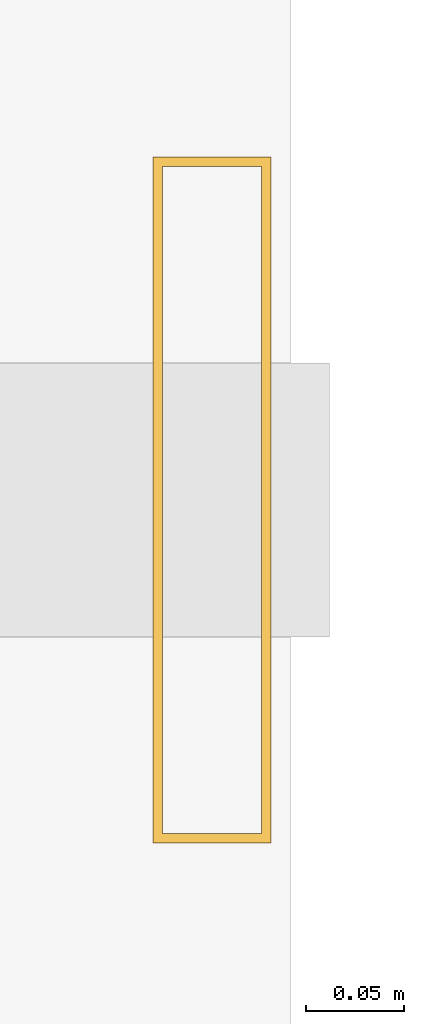
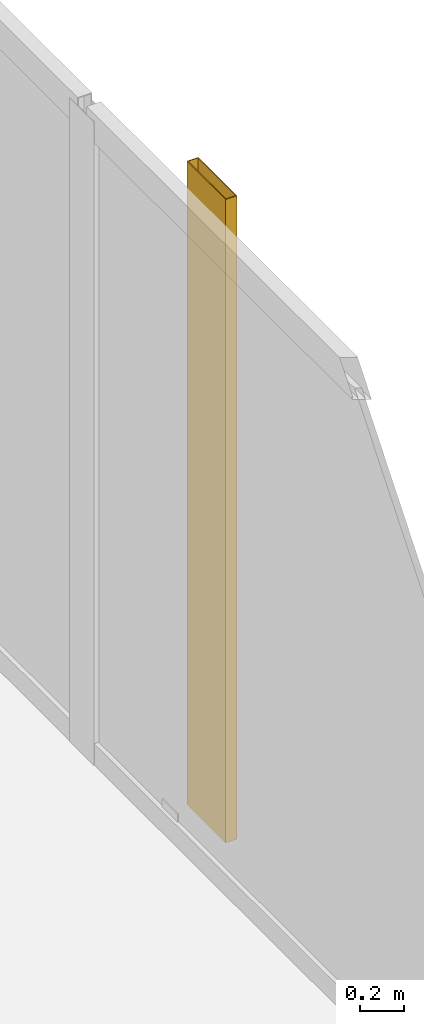
# One storey, part 27 of 27: 1 shading device.
"""IFC4 building model written with IfcOpenShell, lengths in metres."""

from ifc_helpers import new_model, si_unit, direction, frame, origin, origin_2d, place, context, subcontext, project, spatial, hollow_rectangle, extrude, material, material_profile, profile_set, type_object, element, save


model = new_model("IFC4")

# Units and contexts
model_context = context("Model", 3, precision=1e-05, world=origin(), true_north=direction((0.0, 1.0)))
body_context = subcontext(model_context, "Body", "Model", "MODEL_VIEW")
ifc_project = project(units=[si_unit("LENGTHUNIT", "METRE"), si_unit("AREAUNIT", "SQUARE_METRE"), si_unit("VOLUMEUNIT", "CUBIC_METRE"), si_unit("PLANEANGLEUNIT", "RADIAN"), si_unit("MASSUNIT", "GRAM", prefix="KILO")], contexts=[model_context])

# Site, building, storey
site_placement = place(None, origin())
site = spatial("IfcSite", under=ifc_project, at=site_placement, CompositionType="ELEMENT")
building_placement = place(site_placement, origin())
building = spatial("IfcBuilding", under=site, at=building_placement, Name="Kolvaren Waterfront Exchange", CompositionType="ELEMENT")
storey_placement = place(building_placement, frame((0.0, 0.0, 63.800048828125)))
storey = spatial("IfcBuildingStorey", under=building, at=storey_placement, Name="L16", CompositionType="ELEMENT", Elevation=63.800048828125)

# Shading device
ifc_material = material(Name="Anodised bronze aluminium 6063-T6", Category="aluminium")
ifc_material_profile = material_profile(ifc_material, hollow_rectangle(XDim=0.06005859375, YDim=0.35009765625, WallThickness=0.0048828125, at=origin_2d()), Name="BRZ-FIN-350x60x5")
ifc_profile_set = profile_set([ifc_material_profile], Name="Anodised bronze aluminium 6063-T6")
shading_device_type = type_object("IfcShadingDeviceType", Name="ARC-FIN-350", PredefinedType="USERDEFINED", material=ifc_profile_set)
shading_device_placement = place(storey_placement, frame((25.56005859375, 35.199951171875, 0.0), z_axis=(0.0, 0.0, 1.0), x_axis=(1.0, 0.0, 0.0)))
element("IfcShadingDevice", 1, at=shading_device_placement, inside=storey, type_object=shading_device_type, Name="L16 anodised bronze solar shading fin FIN-L16-E3", ObjectType="SOLAR FIN", PredefinedType="USERDEFINED", context=body_context, shape_type="SweptSolid", body=[
    extrude(hollow_rectangle(XDim=0.06005859375, YDim=0.35009765625, WallThickness=0.0048828125, at=origin_2d()), origin(), (0.0, 0.0, 1.0), 3.5400390625),
])

save(model, "model.ifc")
